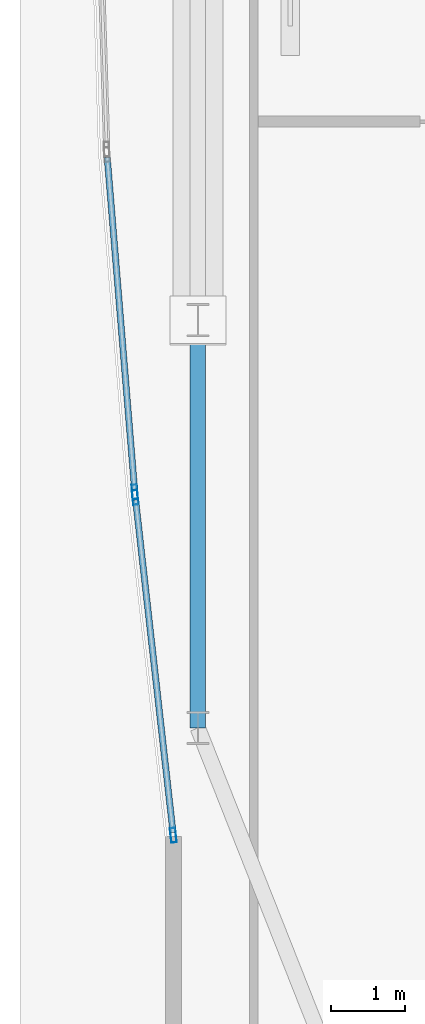
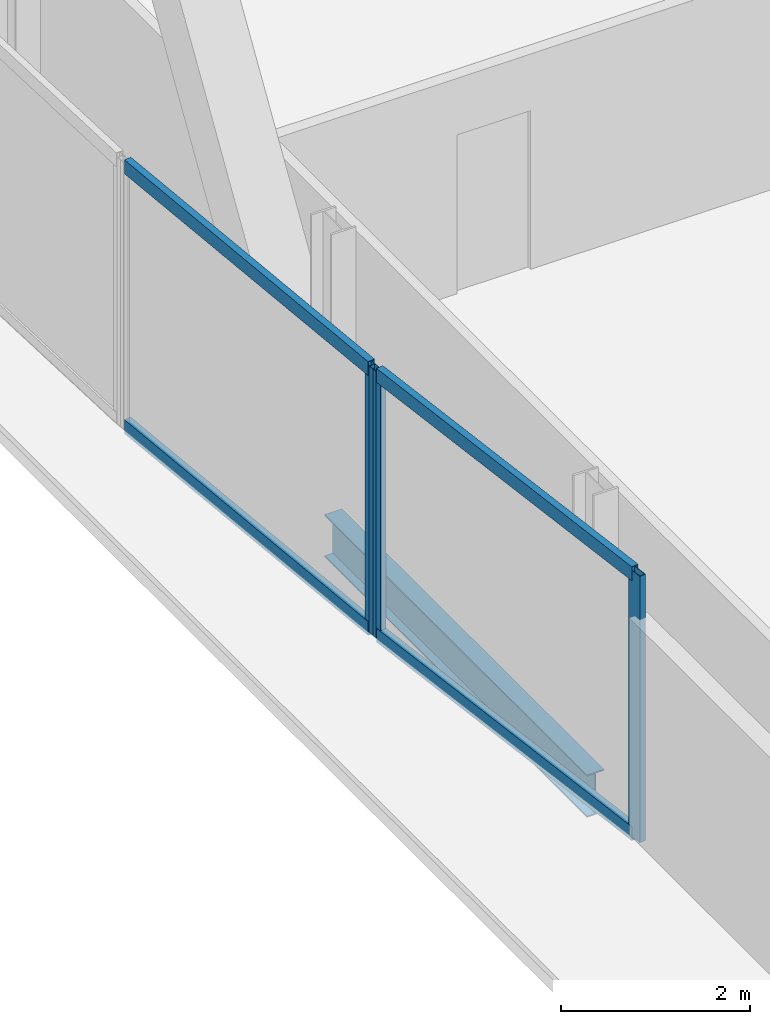
# One storey, part 5 of 28: 7 members, 1 beam, 2 elements without a shape of their own.
"""IFC4 building model written with IfcOpenShell, lengths in metres."""

import ifcopenshell
import ifcopenshell.guid

model = None  # the IFC model being written
_history = None  # IfcOwnerHistory: only IFC2X3 demands one
_inside = {}  # id of a spatial element -> (the spatial element, [elements in it])
_under = {}  # id of a project, library or spatial element -> (it, [spatial elements below it])
_declared = {}  # id of a project -> (the project, [libraries it declares])
_typed = {}  # id of a type object -> (the type object, [elements of that type])
_made_of = {}  # id of a material, layer set ... -> (it, [elements and type objects made of it])


def new_model(schema):
    """Start an empty IFC model of exactly this schema.

    Asked for "IFC4X3", IfcOpenShell would pick the latest addendum, in which some entities
    have other attributes; the version numbers below select the first issue.
    IFC2X3 requires an IfcOwnerHistory on every rooted entity: one is made here for all.
    """
    global model, _history
    if schema == "IFC4X3":
        model = ifcopenshell.file(schema_version=(4, 3, 0, 0))
    else:
        model = ifcopenshell.file(schema=schema)
    _inside.clear()
    _under.clear()
    _declared.clear()
    _typed.clear()
    _made_of.clear()
    _history = None
    if model.schema == "IFC2X3":
        org = make("IfcOrganization", Name="unknown")
        user = make(
            "IfcPersonAndOrganization",
            ThePerson=make("IfcPerson", FamilyName="unknown"),
            TheOrganization=org,
        )
        app = make(
            "IfcApplication",
            ApplicationDeveloper=org,
            Version="unknown",
            ApplicationFullName="unknown",
            ApplicationIdentifier="unknown",
        )
        _history = make(
            "IfcOwnerHistory",
            OwningUser=user,
            OwningApplication=app,
            ChangeAction="ADDED",
            CreationDate=0,
        )
    return model


def make(cls, **values):
    """One entity of the class cls with the attributes given. An attribute that is None is left unset."""
    return model.create_entity(
        cls, **{name: value for name, value in values.items() if value is not None}
    )


def rooted(cls, **values):
    """An entity with a GlobalId (a new one), such as an element, a storey or a relation."""
    return make(cls, GlobalId=ifcopenshell.guid.new(), OwnerHistory=_history, **values)


def si_unit(unit_type, name, prefix=None):
    """IfcSIUnit, for example si_unit("LENGTHUNIT", "METRE", prefix="MILLI")."""
    return make("IfcSIUnit", UnitType=unit_type, Prefix=prefix, Name=name)


def assignment(units):
    """IfcUnitAssignment: the units of a project."""
    return None if units is None else make("IfcUnitAssignment", Units=units)


def point(xyz):
    """IfcCartesianPoint."""
    return None if xyz is None else make("IfcCartesianPoint", Coordinates=xyz)


def direction(xyz):
    """IfcDirection."""
    return None if xyz is None else make("IfcDirection", DirectionRatios=xyz)


def frame(location, z_axis=None, x_axis=None):
    """IfcAxis2Placement3D, a coordinate frame: its origin and axes. An axis left out is left unset."""
    return make(
        "IfcAxis2Placement3D",
        Location=point(location),
        Axis=direction(z_axis),
        RefDirection=direction(x_axis),
    )


def frame_2d(location, x_axis=None):
    """IfcAxis2Placement2D, a coordinate frame in the plane: its origin and x axis."""
    return make(
        "IfcAxis2Placement2D", Location=point(location), RefDirection=direction(x_axis)
    )


def origin():
    """The frame at (0, 0, 0) with its axes left unset."""
    return frame((0.0, 0.0, 0.0))


def origin_2d():
    """The frame at (0, 0) in the plane with its x axis left unset."""
    return frame_2d((0.0, 0.0))


def place(relative_to, where):
    """IfcLocalPlacement: puts the frame where relative to a parent placement (None: the world)."""
    return make(
        "IfcLocalPlacement", PlacementRelTo=relative_to, RelativePlacement=where
    )


def context(
    kind, dimensions, precision=None, world=None, true_north=None, identifier=None
):
    """IfcGeometricRepresentationContext, for example the 3D "Model" context."""
    return make(
        "IfcGeometricRepresentationContext",
        ContextIdentifier=identifier,
        ContextType=kind,
        CoordinateSpaceDimension=dimensions,
        Precision=precision,
        WorldCoordinateSystem=world,
        TrueNorth=true_north,
    )


def subcontext(parent, identifier, kind, view, scale=None):
    """IfcGeometricRepresentationSubContext, for example "Body" below "Model"."""
    return make(
        "IfcGeometricRepresentationSubContext",
        ContextIdentifier=identifier,
        ContextType=kind,
        ParentContext=parent,
        TargetScale=scale,
        TargetView=view,
    )


def project(units=None, contexts=None):
    """IfcProject with its units and contexts."""
    return rooted(
        "IfcProject",
        Name="project",
        RepresentationContexts=contexts,
        UnitsInContext=assignment(units),
    )


def spatial(cls, under=None, at=None, **own):
    """A site, building, storey or space (cls), placed at a placement, below another one or the project."""
    s = rooted(cls, ObjectPlacement=at, **own)
    if under is not None:
        _under.setdefault(under.id(), (under, []))[1].append(s)
    return s


def profile(cls, at=None, kind="AREA", **sizes):
    """A parametric profile (cls). Its sizes go by their IFC names, for example OverallWidth=200.0."""
    return make(cls, ProfileType=kind, Position=at, **sizes)


def hollow_rectangle(**sizes):
    """IfcRectangleHollowProfileDef."""
    return profile("IfcRectangleHollowProfileDef", **sizes)


def i_section(**sizes):
    """IfcIShapeProfileDef."""
    return profile("IfcIShapeProfileDef", **sizes)


def extrude(swept, where, along, depth):
    """IfcExtrudedAreaSolid: the profile swept, set in the frame where, extruded along a direction by depth."""
    return make(
        "IfcExtrudedAreaSolid",
        SweptArea=swept,
        Position=where,
        ExtrudedDirection=direction(along),
        Depth=depth,
    )


def shape(context_of_items, identifier, shape_type, items):
    """IfcShapeRepresentation: the items that make up one representation, for example the "Body"."""
    return make(
        "IfcShapeRepresentation",
        ContextOfItems=context_of_items,
        RepresentationIdentifier=identifier,
        RepresentationType=shape_type,
        Items=items,
    )


def material(Name=None, Category=None):
    """IfcMaterial."""
    return make("IfcMaterial", Name=Name, Category=Category)


def material_profile(
    of_material, cross_section, Name=None, Category=None, Priority=None
):
    """IfcMaterialProfile: a cross section and its material."""
    return make(
        "IfcMaterialProfile",
        Name=Name,
        Material=of_material,
        Profile=cross_section,
        Priority=Priority,
        Category=Category,
    )


def profile_set(profiles, Name=None, composite=None):
    """IfcMaterialProfileSet."""
    return make(
        "IfcMaterialProfileSet",
        Name=Name,
        MaterialProfiles=profiles,
        CompositeProfile=composite,
    )


def made_of(thing, what):
    """Note that an element or type object is made of a material, layer set ...; save() writes the relation."""
    if what is not None:
        _made_of.setdefault(what.id(), (what, []))[1].append(thing)
    return thing


def type_object(cls, material=None, **own):
    """A type object (cls), such as IfcWallType, which elements share."""
    return made_of(rooted(cls, **own), material)


def element(
    cls,
    number,
    at=None,
    inside=None,
    cuts=None,
    type_object=None,
    material=None,
    context=None,
    identifier="Body",
    shape_type=None,
    held_by="IfcProductDefinitionShape",
    body=None,
    shapes=None,
    **own,
):
    """One element of the class cls, such as IfcWall. Its Tag is "e" and its number.

    at: its placement. inside: the storey or other place that contains it. cuts: it is an
    opening in that element (IfcRelVoidsElement). A single representation is given by context,
    identifier, shape_type and body (its items); several are given by shapes. held_by: the class
    of the entity that holds the representations. save() writes the other relations.
    """
    e = rooted(cls, Tag="e%d" % number, ObjectPlacement=at, **own)
    if body is not None:
        shapes = [shape(context, identifier, shape_type, body)]
    if shapes is not None:
        e.Representation = make(held_by, Representations=shapes)
    if inside is not None:
        _inside.setdefault(inside.id(), (inside, []))[1].append(e)
    if cuts is not None:
        rooted(
            "IfcRelVoidsElement", RelatingBuildingElement=cuts, RelatedOpeningElement=e
        )
    if type_object is not None:
        _typed.setdefault(type_object.id(), (type_object, []))[1].append(e)
    return made_of(e, material)


def aggregate(whole, parts):
    """IfcRelAggregates: a whole, such as a stair, and the parts it consists of."""
    return rooted("IfcRelAggregates", RelatingObject=whole, RelatedObjects=parts)


def save(model, path):
    """Write the relations noted so far, then the file.

    IfcRelAggregates (storeys below a building ...), IfcRelContainedInSpatialStructure (elements
    in a storey), IfcRelDefinesByType, IfcRelAssociatesMaterial and IfcRelDeclares: one each for
    every whole, place, type object, material and project.
    """
    for whole, parts in _under.values():
        aggregate(whole, parts)
    for where, things in _inside.values():
        rooted(
            "IfcRelContainedInSpatialStructure",
            RelatedElements=things,
            RelatingStructure=where,
        )
    for kind, things in _typed.values():
        rooted("IfcRelDefinesByType", RelatedObjects=things, RelatingType=kind)
    for what, things in _made_of.values():
        rooted("IfcRelAssociatesMaterial", RelatedObjects=things, RelatingMaterial=what)
    for by, libraries in _declared.values():
        rooted("IfcRelDeclares", RelatingContext=by, RelatedDefinitions=libraries)
    model.write(path)


model = new_model("IFC4")

# Units and contexts
model_context = context("Model", 3, precision=1e-05, world=origin(), true_north=direction((0.0, 1.0)))
body_context = subcontext(model_context, "Body", "Model", "MODEL_VIEW")
ifc_project = project(units=[si_unit("LENGTHUNIT", "METRE"), si_unit("AREAUNIT", "SQUARE_METRE"), si_unit("VOLUMEUNIT", "CUBIC_METRE"), si_unit("PLANEANGLEUNIT", "RADIAN"), si_unit("MASSUNIT", "GRAM", prefix="KILO")], contexts=[model_context])

# Site, building, storey
site_placement = place(None, origin())
site = spatial("IfcSite", under=ifc_project, at=site_placement, CompositionType="ELEMENT")
building_placement = place(site_placement, origin())
building = spatial("IfcBuilding", under=site, at=building_placement, Name="Khoronbel Lancet Exchange", CompositionType="ELEMENT")
storey_placement = place(building_placement, frame((0.0, 0.0, 291.39990234375)))
storey = spatial("IfcBuildingStorey", under=building, at=storey_placement, Name="L75", CompositionType="ELEMENT", Elevation=291.39990234375)

# Beam
ifc_material_1 = material(Name="Steel S355", Category="steel")
ifc_material_profile_1 = material_profile(ifc_material_1, i_section(OverallWidth=0.2099609375, OverallDepth=0.550048828125, WebThickness=0.010986328125, FlangeThickness=0.01708984375, at=origin_2d()), Name="IPE 550")
ifc_profile_set_1 = profile_set([ifc_material_profile_1], Name="Steel S355")
beam_type = type_object("IfcBeamType", Name="BM-BSP3", PredefinedType="SPANDREL", material=ifc_profile_set_1)
beam_placement = place(storey_placement, frame((11.27001953125, 24.75, -0.434814453125), z_axis=(0.0, -1.0, 0.0), x_axis=(1.0, 0.0, 0.0)))
element("IfcBeam", 1, at=beam_placement, inside=storey, type_object=beam_type, Name="Level L75 perimeter spandrel beam SP18", PredefinedType="SPANDREL", context=body_context, shape_type="SweptSolid", body=[
    extrude(i_section(OverallWidth=0.2099609375, OverallDepth=0.550048828125, WebThickness=0.010986328125, FlangeThickness=0.01708984375, at=origin_2d()), origin(), (0.0, 0.0, 1.0), 5.550048828125),
])

# Curtain wall, members
ifc_material_2 = material(Name="Low-E Solar Control Insulating Glass", Category="glass")
curtain_wall_type = type_object("IfcCurtainWallType", Name="CW-4", PredefinedType="NOTDEFINED", material=ifc_material_2)
curtain_wall_1_placement = place(storey_placement, origin())
curtain_wall_1 = element("IfcCurtainWall", 2, at=curtain_wall_1_placement, inside=storey, type_object=curtain_wall_type, Name="Unitised curtain wall CW-L75-E04", PredefinedType="NOTDEFINED")
ifc_material_3 = material(Name="Bronze-Anodised Aluminium 6063-T6", Category="aluminium")
ifc_material_profile_2 = material_profile(ifc_material_3, hollow_rectangle(XDim=0.074951171875, YDim=0.199951171875, WallThickness=0.0048828125, at=origin_2d()), Name="ALU MULLION 75x200")
ifc_profile_set_2 = profile_set([ifc_material_profile_2], Name="Bronze-Anodised Aluminium 6063-T6")
member_type_1 = type_object("IfcMemberType", Name="MEM-CWM2", PredefinedType="MULLION", material=ifc_profile_set_2)
member_1_placement = place(storey_placement, frame((10.935791015625, 17.7421875, 0.0), z_axis=(0.0, 0.0, 1.0), x_axis=(-0.993731788903, -0.111790570813, 0.0)))
member_1 = element("IfcMember", 3, at=member_1_placement, type_object=member_type_1, Name="CW4 mullion 1", PredefinedType="MULLION", context=body_context, shape_type="SweptSolid", body=[
    extrude(hollow_rectangle(XDim=0.074951171875, YDim=0.199951171875, WallThickness=0.0048828125, at=origin_2d()), origin(), (0.0, 0.0, 1.0), 3.440185546875),
])
member_2_placement = place(storey_placement, frame((10.418701171875, 22.338134765625, 0.0), z_axis=(0.0, 0.0, 1.0), x_axis=(-0.993731788903, -0.111790570813, 0.0)))
member_2 = element("IfcMember", 4, at=member_2_placement, type_object=member_type_1, Name="CW4 mullion 2", PredefinedType="MULLION", context=body_context, shape_type="SweptSolid", body=[
    extrude(hollow_rectangle(XDim=0.074951171875, YDim=0.199951171875, WallThickness=0.0048828125, at=origin_2d()), origin(), (0.0, 0.0, 1.0), 3.440185546875),
])

# Curtain wall, member
curtain_wall_2_placement = place(storey_placement, origin())
curtain_wall_2 = element("IfcCurtainWall", 5, at=curtain_wall_2_placement, inside=storey, type_object=curtain_wall_type, Name="Unitised curtain wall CW-L75-E05", PredefinedType="NOTDEFINED")
member_3_placement = place(storey_placement, frame((10.41162109375, 22.412841796875, 0.0), z_axis=(0.0, 0.0, 1.0), x_axis=(-0.996626353667, -0.082072596992, 0.0)))
member_3 = element("IfcMember", 6, at=member_3_placement, type_object=member_type_1, Name="CW4 mullion 1", PredefinedType="MULLION", context=body_context, shape_type="SweptSolid", body=[
    extrude(hollow_rectangle(XDim=0.074951171875, YDim=0.199951171875, WallThickness=0.0048828125, at=origin_2d()), origin(), (0.0, 0.0, 1.0), 3.440185546875),
])

# Member
ifc_material_profile_3 = material_profile(ifc_material_3, hollow_rectangle(XDim=0.0849609375, YDim=0.179931640625, WallThickness=0.0048828125, at=origin_2d()), Name="ALU TRANSOM 85x180")
ifc_profile_set_3 = profile_set([ifc_material_profile_3], Name="Bronze-Anodised Aluminium 6063-T6")
member_type_2 = type_object("IfcMemberType", Name="MEM-CWT1", PredefinedType="USERDEFINED", material=ifc_profile_set_3)
member_4_placement = place(storey_placement, frame((10.931640625, 17.779541015625, 0.04248046875), z_axis=(-0.111774239585, 0.993733625961, 0.0), x_axis=(-0.993733625961, -0.111774239585, 0.0)))
member_4 = element("IfcMember", 7, at=member_4_placement, type_object=member_type_2, Name="CW4 transom 1.1", ObjectType="TRANSOM", PredefinedType="USERDEFINED", context=body_context, shape_type="SweptSolid", body=[
    extrude(hollow_rectangle(XDim=0.0849609375, YDim=0.179931640625, WallThickness=0.0048828125, at=origin_2d()), origin(), (0.0, 0.0, 1.0), 4.5498046875),
])

member_5_placement = place(storey_placement, frame((10.931640625, 17.779541015625, 3.397705078125), z_axis=(-0.111774239585, 0.993733625961, 0.0), x_axis=(-0.993733625961, -0.111774239585, 0.0)))
member_5 = element("IfcMember", 8, at=member_5_placement, type_object=member_type_2, Name="CW4 transom 1.2", ObjectType="TRANSOM", PredefinedType="USERDEFINED", context=body_context, shape_type="SweptSolid", body=[
    extrude(hollow_rectangle(XDim=0.0849609375, YDim=0.179931640625, WallThickness=0.0048828125, at=origin_2d()), origin(), (0.0, 0.0, 1.0), 4.5498046875),
])

aggregate(curtain_wall_1, [member_1, member_2, member_4, member_5])

member_6_placement = place(storey_placement, frame((10.408447265625, 22.4501953125, 0.04248046875), z_axis=(-0.082050526111, 0.996628170967, 0.0), x_axis=(-0.996628170967, -0.082050526111, 0.0)))
member_6 = element("IfcMember", 9, at=member_6_placement, type_object=member_type_2, Name="CW4 transom 1.1", ObjectType="TRANSOM", PredefinedType="USERDEFINED", context=body_context, shape_type="SweptSolid", body=[
    extrude(hollow_rectangle(XDim=0.0849609375, YDim=0.179931640625, WallThickness=0.0048828125, at=origin_2d()), origin(), (0.0, 0.0, 1.0), 4.52880859375),
])

member_7_placement = place(storey_placement, frame((10.408447265625, 22.4501953125, 3.397705078125), z_axis=(-0.082050526111, 0.996628170967, 0.0), x_axis=(-0.996628170967, -0.082050526111, 0.0)))
member_7 = element("IfcMember", 10, at=member_7_placement, type_object=member_type_2, Name="CW4 transom 1.2", ObjectType="TRANSOM", PredefinedType="USERDEFINED", context=body_context, shape_type="SweptSolid", body=[
    extrude(hollow_rectangle(XDim=0.0849609375, YDim=0.179931640625, WallThickness=0.0048828125, at=origin_2d()), origin(), (0.0, 0.0, 1.0), 4.52880859375),
])

aggregate(curtain_wall_2, [member_3, member_6, member_7])

save(model, "model.ifc")
